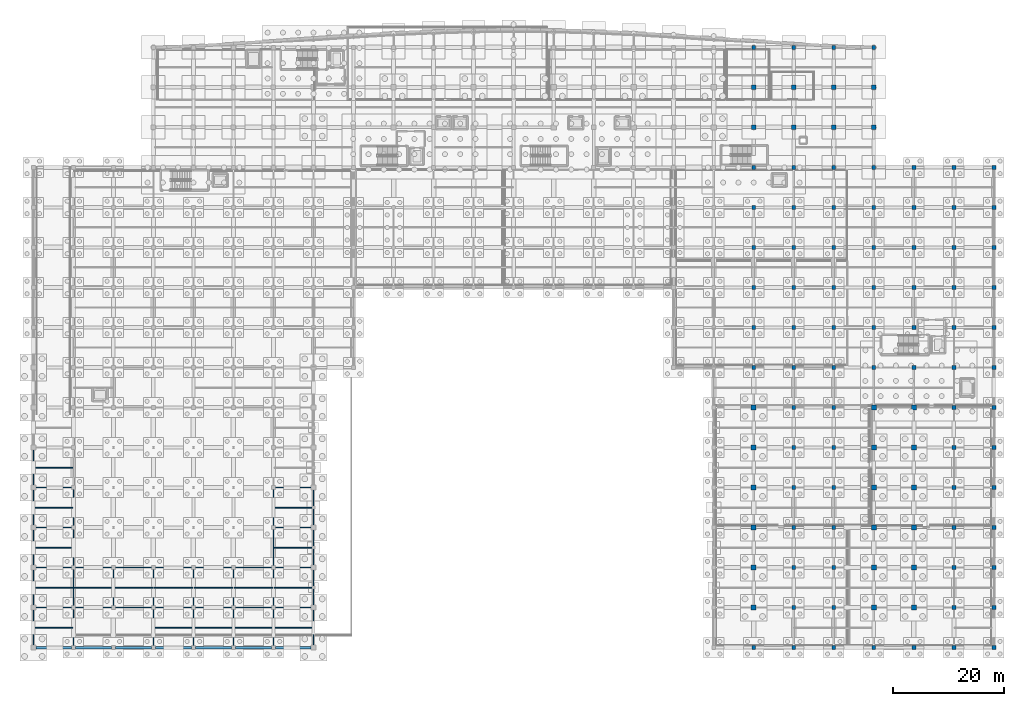
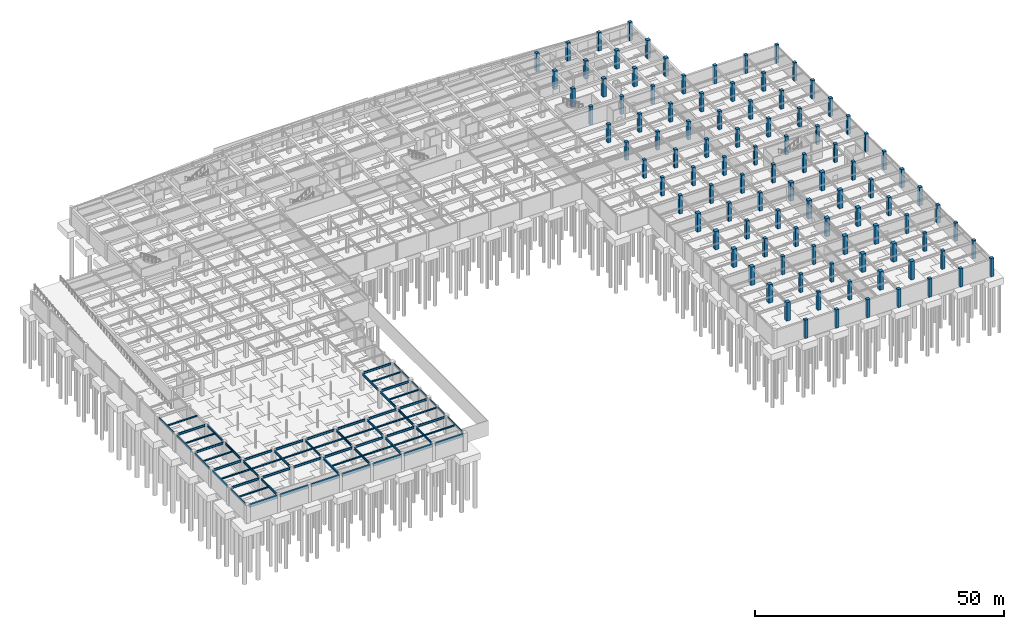
# One storey, part 24 of 48: 103 columns, 66 beams.
"""IFC4 building model written with IfcOpenShell, lengths in metres."""

from ifc_helpers import new_model, si_unit, direction, frame, origin, origin_2d, place, context, subcontext, project, spatial, rectangle, i_section, extrude, material, material_profile, profile_set, type_object, element, save


model = new_model("IFC4")

# Units and contexts
model_context = context("Model", 3, precision=1e-05, world=origin(), true_north=direction((0.0, 1.0)))
body_context = subcontext(model_context, "Body", "Model", "MODEL_VIEW")
ifc_project = project(units=[si_unit("LENGTHUNIT", "METRE"), si_unit("AREAUNIT", "SQUARE_METRE"), si_unit("VOLUMEUNIT", "CUBIC_METRE"), si_unit("PLANEANGLEUNIT", "RADIAN"), si_unit("MASSUNIT", "GRAM", prefix="KILO")], contexts=[model_context])

# Site, building, storey
site_placement = place(None, origin())
site = spatial("IfcSite", under=ifc_project, at=site_placement, CompositionType="ELEMENT")
building_placement = place(site_placement, origin())
building = spatial("IfcBuilding", under=site, at=building_placement, Name="Carrowvane Square Congress Hotel", CompositionType="ELEMENT")
storey_placement = place(building_placement, frame((0.0, 0.0, -4.5)))
storey = spatial("IfcBuildingStorey", under=building, at=storey_placement, Name="B01", CompositionType="ELEMENT", Elevation=-4.5)

# Columns
ifc_material_1 = material(Name="Concrete C40/50", Category="concrete")
ifc_material_profile_1 = material_profile(ifc_material_1, rectangle(XDim=0.699951171875, YDim=0.699951171875, at=origin_2d()), Name="RC 700x700")
ifc_profile_set_1 = profile_set([ifc_material_profile_1], Name="Concrete C40/50")
column_type_1 = type_object("IfcColumnType", Name="COL-RC-700", PredefinedType="COLUMN", material=ifc_profile_set_1)
for number, where, z_axis, x_axis, name in (
    (1, (141.199951171875, 5.39990234375, 0.0), (0.0, 0.0, 1.0), (1.0, 0.0, 0.0), "B01 column 19/A"),
    (2, (141.199951171875, 55.800048828125, 0.0), (0.0, 0.0, 1.0), (1.0, 0.0, 0.0), "B01 column 19/H"),
    (3, (141.199951171875, 63.0, 0.0), (0.0, 0.0, 1.0), (1.0, 0.0, 0.0), "B01 column 19/J"),
    (4, (141.199951171875, 70.199951171875, 0.0), (0.0, 0.0, 1.0), (1.0, 0.0, 0.0), "B01 column 19/K"),
    (5, (141.199951171875, 77.39990234375, 0.0), (0.0, 0.0, 1.0), (1.0, 0.0, 0.0), "B01 column 19/L"),
    (6, (141.199951171875, 84.60009765625, 0.0), (0.0, 0.0, 1.0), (1.0, 0.0, 0.0), "B01 column 19/M"),
    (7, (141.199951171875, 91.800048828125, 0.0), (0.0, 0.0, 1.0), (1.0, 0.0, 0.0), "B01 column 19/N"),
    (8, (141.199951171875, 113.39990234375, 0.0), (0.0, 0.0, 1.0), (1.0, 0.0, 0.0), "B01 column 19/R"),
    (9, (148.39990234375, 5.39990234375, 0.0), (0.0, 0.0, 1.0), (1.0, 0.0, 0.0), "B01 column 20/A"),
    (10, (148.39990234375, 12.60009765625, 0.0), (0.0, 0.0, 1.0), (1.0, 0.0, 0.0), "B01 column 20/B"),
    (11, (148.39990234375, 19.800048828125, 0.0), (0.0, 0.0, 1.0), (1.0, 0.0, 0.0), "B01 column 20/C"),
    (12, (148.39990234375, 27.0, 0.0), (0.0, 0.0, 1.0), (1.0, 0.0, 0.0), "B01 column 20/D"),
    (13, (148.39990234375, 34.199951171875, 0.0), (0.0, 0.0, 1.0), (1.0, 0.0, 0.0), "B01 column 20/E"),
    (14, (148.39990234375, 41.39990234375, 0.0), (0.0, 0.0, 1.0), (1.0, 0.0, 0.0), "B01 column 20/F"),
    (15, (148.39990234375, 48.60009765625, 0.0), (0.0, 0.0, 1.0), (1.0, 0.0, 0.0), "B01 column 20/G"),
    (16, (148.39990234375, 55.800048828125, 0.0), (0.0, 0.0, 1.0), (1.0, 0.0, 0.0), "B01 column 20/H"),
    (17, (148.39990234375, 63.0, 0.0), (0.0, 0.0, 1.0), (1.0, 0.0, 0.0), "B01 column 20/J"),
    (18, (148.39990234375, 70.199951171875, 0.0), (0.0, 0.0, 1.0), (1.0, 0.0, 0.0), "B01 column 20/K"),
    (19, (148.39990234375, 77.39990234375, 0.0), (0.0, 0.0, 1.0), (1.0, 0.0, 0.0), "B01 column 20/L"),
    (20, (148.39990234375, 84.60009765625, 0.0), (0.0, 0.0, 1.0), (1.0, 0.0, 0.0), "B01 column 20/M"),
    (21, (148.39990234375, 91.800048828125, 0.0), (0.0, 0.0, 1.0), (1.0, 0.0, 0.0), "B01 column 20/N"),
    (22, (148.39990234375, 113.39990234375, 0.0), (0.0, 0.0, 1.0), (1.0, 0.0, 0.0), "B01 column 20/R"),
    (23, (155.60009765625, 5.39990234375, 0.0), (0.0, 0.0, 1.0), (1.0, 0.0, 0.0), "B01 column 21/A"),
    (24, (155.60009765625, 12.60009765625, 0.0), (0.0, 0.0, 1.0), (1.0, 0.0, 0.0), "B01 column 21/B"),
    (25, (155.60009765625, 19.800048828125, 0.0), (0.0, 0.0, 1.0), (1.0, 0.0, 0.0), "B01 column 21/C"),
    (26, (155.60009765625, 27.0, 0.0), (0.0, 0.0, 1.0), (1.0, 0.0, 0.0), "B01 column 21/D"),
    (27, (155.60009765625, 34.199951171875, 0.0), (0.0, 0.0, 1.0), (1.0, 0.0, 0.0), "B01 column 21/E"),
    (28, (155.60009765625, 41.39990234375, 0.0), (0.0, 0.0, 1.0), (1.0, 0.0, 0.0), "B01 column 21/F"),
    (29, (155.60009765625, 48.60009765625, 0.0), (0.0, 0.0, 1.0), (1.0, 0.0, 0.0), "B01 column 21/G"),
    (30, (155.60009765625, 55.800048828125, 0.0), (0.0, 0.0, 1.0), (1.0, 0.0, 0.0), "B01 column 21/H"),
    (31, (155.60009765625, 63.0, 0.0), (0.0, 0.0, 1.0), (1.0, 0.0, 0.0), "B01 column 21/J"),
    (32, (155.60009765625, 70.199951171875, 0.0), (0.0, 0.0, 1.0), (1.0, 0.0, 0.0), "B01 column 21/K"),
    (33, (155.60009765625, 77.39990234375, 0.0), (0.0, 0.0, 1.0), (1.0, 0.0, 0.0), "B01 column 21/L"),
    (34, (155.60009765625, 84.60009765625, 0.0), (0.0, 0.0, 1.0), (1.0, 0.0, 0.0), "B01 column 21/M"),
    (35, (155.60009765625, 91.800048828125, 0.0), (0.0, 0.0, 1.0), (1.0, 0.0, 0.0), "B01 column 21/N"),
    (36, (155.60009765625, 113.39990234375, 0.0), (0.0, 0.0, 1.0), (1.0, 0.0, 0.0), "B01 column 21/R"),
    (37, (162.800048828125, 5.39990234375, 0.0), (0.0, 0.0, 1.0), (1.0, 0.0, 0.0), "B01 column 22/A"),
    (38, (162.800048828125, 55.800048828125, 0.0), (0.0, 0.0, 1.0), (1.0, 0.0, 0.0), "B01 column 22/H"),
    (39, (162.800048828125, 63.0, 0.0), (0.0, 0.0, 1.0), (1.0, 0.0, 0.0), "B01 column 22/J"),
    (40, (162.800048828125, 70.199951171875, 0.0), (0.0, 0.0, 1.0), (1.0, 0.0, 0.0), "B01 column 22/K"),
    (41, (162.800048828125, 77.39990234375, 0.0), (0.0, 0.0, 1.0), (1.0, 0.0, 0.0), "B01 column 22/L"),
    (42, (162.800048828125, 84.60009765625, 0.0), (0.0, 0.0, 1.0), (1.0, 0.0, 0.0), "B01 column 22/M"),
    (43, (162.800048828125, 91.800048828125, 0.0), (0.0, 0.0, 1.0), (1.0, 0.0, 0.0), "B01 column 22/N"),
    (44, (162.800048828125, 113.39990234375, 0.0), (0.0, 0.0, 1.0), (1.0, 0.0, 0.0), "B01 column 22/R"),
    (45, (170.0, 5.39990234375, 0.0), (0.0, 0.0, 1.0), (1.0, 0.0, 0.0), "B01 column 23/A"),
    (46, (170.0, 55.800048828125, 0.0), (0.0, 0.0, 1.0), (1.0, 0.0, 0.0), "B01 column 23/H"),
    (47, (170.0, 63.0, 0.0), (0.0, 0.0, 1.0), (1.0, 0.0, 0.0), "B01 column 23/J"),
    (48, (170.0, 70.199951171875, 0.0), (0.0, 0.0, 1.0), (1.0, 0.0, 0.0), "B01 column 23/K"),
    (49, (170.0, 77.39990234375, 0.0), (0.0, 0.0, 1.0), (1.0, 0.0, 0.0), "B01 column 23/L"),
    (50, (170.0, 84.60009765625, 0.0), (0.0, 0.0, 1.0), (1.0, 0.0, 0.0), "B01 column 23/M"),
    (51, (170.0, 91.800048828125, 0.0), (0.0, 0.0, 1.0), (1.0, 0.0, 0.0), "B01 column 23/N"),
    (52, (177.199951171875, 5.39990234375, 0.0), (0.0, 0.0, 1.0), (1.0, 0.0, 0.0), "B01 column 24/A"),
    (53, (177.199951171875, 12.60009765625, 0.0), (0.0, 0.0, 1.0), (1.0, 0.0, 0.0), "B01 column 24/B"),
    (54, (177.199951171875, 19.800048828125, 0.0), (0.0, 0.0, 1.0), (1.0, 0.0, 0.0), "B01 column 24/C"),
    (55, (177.199951171875, 27.0, 0.0), (0.0, 0.0, 1.0), (1.0, 0.0, 0.0), "B01 column 24/D"),
    (56, (177.199951171875, 34.199951171875, 0.0), (0.0, 0.0, 1.0), (1.0, 0.0, 0.0), "B01 column 24/E"),
    (57, (177.199951171875, 41.39990234375, 0.0), (0.0, 0.0, 1.0), (1.0, 0.0, 0.0), "B01 column 24/F"),
    (58, (177.199951171875, 48.60009765625, 0.0), (0.0, 0.0, 1.0), (1.0, 0.0, 0.0), "B01 column 24/G"),
    (59, (177.199951171875, 55.800048828125, 0.0), (0.0, 0.0, 1.0), (1.0, 0.0, 0.0), "B01 column 24/H"),
    (60, (177.199951171875, 63.0, 0.0), (0.0, 0.0, 1.0), (1.0, 0.0, 0.0), "B01 column 24/J"),
    (61, (177.199951171875, 70.199951171875, 0.0), (0.0, 0.0, 1.0), (1.0, 0.0, 0.0), "B01 column 24/K"),
    (62, (177.199951171875, 77.39990234375, 0.0), (0.0, 0.0, 1.0), (1.0, 0.0, 0.0), "B01 column 24/L"),
    (63, (177.199951171875, 84.60009765625, 0.0), (0.0, 0.0, 1.0), (1.0, 0.0, 0.0), "B01 column 24/M"),
    (64, (177.199951171875, 91.800048828125, 0.0), (0.0, 0.0, 1.0), (1.0, 0.0, 0.0), "B01 column 24/N"),
    (65, (184.39990234375, 5.39990234375, 0.0), (0.0, 0.0, 1.0), (1.0, 0.0, 0.0), "B01 column 25/A"),
    (66, (184.39990234375, 12.60009765625, 0.0), (0.0, 0.0, 1.0), (1.0, 0.0, 0.0), "B01 column 25/B"),
    (67, (184.39990234375, 19.800048828125, 0.0), (0.0, 0.0, 1.0), (1.0, 0.0, 0.0), "B01 column 25/C"),
    (68, (184.39990234375, 27.0, 0.0), (0.0, 0.0, 1.0), (1.0, 0.0, 0.0), "B01 column 25/D"),
    (69, (184.39990234375, 34.199951171875, 0.0), (0.0, 0.0, 1.0), (1.0, 0.0, 0.0), "B01 column 25/E"),
    (70, (184.39990234375, 41.39990234375, 0.0), (0.0, 0.0, 1.0), (1.0, 0.0, 0.0), "B01 column 25/F"),
    (71, (184.39990234375, 48.60009765625, 0.0), (0.0, 0.0, 1.0), (1.0, 0.0, 0.0), "B01 column 25/G"),
    (72, (184.39990234375, 55.800048828125, 0.0), (0.0, 0.0, 1.0), (1.0, 0.0, 0.0), "B01 column 25/H"),
    (73, (184.39990234375, 63.0, 0.0), (0.0, 0.0, 1.0), (1.0, 0.0, 0.0), "B01 column 25/J"),
    (74, (184.39990234375, 70.199951171875, 0.0), (0.0, 0.0, 1.0), (1.0, 0.0, 0.0), "B01 column 25/K"),
    (75, (184.39990234375, 77.39990234375, 0.0), (0.0, 0.0, 1.0), (1.0, 0.0, 0.0), "B01 column 25/L"),
    (76, (184.39990234375, 84.60009765625, 0.0), (0.0, 0.0, 1.0), (1.0, 0.0, 0.0), "B01 column 25/M"),
    (77, (184.39990234375, 91.800048828125, 0.0), (0.0, 0.0, 1.0), (1.0, 0.0, 0.0), "B01 column 25/N"),
):
    element("IfcColumn", number, at=place(storey_placement, frame(where, z_axis=z_axis, x_axis=x_axis)), inside=storey, type_object=column_type_1, Name=name, PredefinedType="COLUMN", context=body_context, shape_type="SweptSolid", body=[
        extrude(rectangle(XDim=0.699951171875, YDim=0.699951171875, at=origin_2d()), origin(), (0.0, 0.0, 1.0), 4.5),
    ])
ifc_material_2 = material(Name="Concrete C40/50", Category="concrete")
ifc_material_profile_2 = material_profile(ifc_material_2, rectangle(XDim=0.800048828125, YDim=0.800048828125, at=origin_2d()), Name="RC 800x800")
ifc_profile_set_2 = profile_set([ifc_material_profile_2], Name="Concrete C40/50")
column_type_2 = type_object("IfcColumnType", Name="COL-RC-800", PredefinedType="COLUMN", material=ifc_profile_set_2)
for number, where, z_axis, x_axis, name in (
    (78, (141.199951171875, 99.0, 0.0), (0.0, 0.0, 1.0), (1.0, 0.0, 0.0), "B01 column 19/P"),
    (79, (141.199951171875, 106.199951171875, 0.0), (0.0, 0.0, 1.0), (1.0, 0.0, 0.0), "B01 column 19/Q"),
    (80, (148.39990234375, 99.0, 0.0), (0.0, 0.0, 1.0), (1.0, 0.0, 0.0), "B01 column 20/P"),
    (81, (148.39990234375, 106.199951171875, 0.0), (0.0, 0.0, 1.0), (1.0, 0.0, 0.0), "B01 column 20/Q"),
    (82, (155.60009765625, 99.0, 0.0), (0.0, 0.0, 1.0), (1.0, 0.0, 0.0), "B01 column 21/P"),
    (83, (155.60009765625, 106.199951171875, 0.0), (0.0, 0.0, 1.0), (1.0, 0.0, 0.0), "B01 column 21/Q"),
    (84, (162.800048828125, 99.0, 0.0), (0.0, 0.0, 1.0), (1.0, 0.0, 0.0), "B01 column 22/P"),
    (85, (162.800048828125, 106.199951171875, 0.0), (0.0, 0.0, 1.0), (1.0, 0.0, 0.0), "B01 column 22/Q"),
):
    element("IfcColumn", number, at=place(storey_placement, frame(where, z_axis=z_axis, x_axis=x_axis)), inside=storey, type_object=column_type_2, Name=name, PredefinedType="COLUMN", context=body_context, shape_type="SweptSolid", body=[
        extrude(rectangle(XDim=0.800048828125, YDim=0.800048828125, at=origin_2d()), origin(), (0.0, 0.0, 1.0), 4.5),
    ])
ifc_material_3 = material(Name="Concrete C40/50", Category="concrete")
ifc_material_profile_3 = material_profile(ifc_material_3, rectangle(XDim=0.89990234375, YDim=0.89990234375, at=origin_2d()), Name="RC 900x900")
ifc_profile_set_3 = profile_set([ifc_material_profile_3], Name="Concrete C40/50")
column_type_3 = type_object("IfcColumnType", Name="MCOL-RC-900", PredefinedType="COLUMN", material=ifc_profile_set_3)
for number, where, z_axis, x_axis, name in (
    (86, (141.199951171875, 12.60009765625, 0.0), (0.0, 0.0, 1.0), (1.0, 0.0, 0.0), "B01 column 19/B"),
    (87, (141.199951171875, 19.800048828125, 0.0), (0.0, 0.0, 1.0), (1.0, 0.0, 0.0), "B01 column 19/C"),
    (88, (141.199951171875, 27.0, 0.0), (0.0, 0.0, 1.0), (1.0, 0.0, 0.0), "B01 column 19/D"),
    (89, (141.199951171875, 34.199951171875, 0.0), (0.0, 0.0, 1.0), (1.0, 0.0, 0.0), "B01 column 19/E"),
    (90, (141.199951171875, 41.39990234375, 0.0), (0.0, 0.0, 1.0), (1.0, 0.0, 0.0), "B01 column 19/F"),
    (91, (141.199951171875, 48.60009765625, 0.0), (0.0, 0.0, 1.0), (1.0, 0.0, 0.0), "B01 column 19/G"),
    (92, (162.800048828125, 12.60009765625, 0.0), (0.0, 0.0, 1.0), (1.0, 0.0, 0.0), "B01 column 22/B"),
    (93, (162.800048828125, 19.800048828125, 0.0), (0.0, 0.0, 1.0), (1.0, 0.0, 0.0), "B01 column 22/C"),
    (94, (162.800048828125, 27.0, 0.0), (0.0, 0.0, 1.0), (1.0, 0.0, 0.0), "B01 column 22/D"),
    (95, (162.800048828125, 34.199951171875, 0.0), (0.0, 0.0, 1.0), (1.0, 0.0, 0.0), "B01 column 22/E"),
    (96, (162.800048828125, 41.39990234375, 0.0), (0.0, 0.0, 1.0), (1.0, 0.0, 0.0), "B01 column 22/F"),
    (97, (162.800048828125, 48.60009765625, 0.0), (0.0, 0.0, 1.0), (1.0, 0.0, 0.0), "B01 column 22/G"),
    (98, (170.0, 12.60009765625, 0.0), (0.0, 0.0, 1.0), (1.0, 0.0, 0.0), "B01 column 23/B"),
    (99, (170.0, 19.800048828125, 0.0), (0.0, 0.0, 1.0), (1.0, 0.0, 0.0), "B01 column 23/C"),
    (100, (170.0, 27.0, 0.0), (0.0, 0.0, 1.0), (1.0, 0.0, 0.0), "B01 column 23/D"),
    (101, (170.0, 34.199951171875, 0.0), (0.0, 0.0, 1.0), (1.0, 0.0, 0.0), "B01 column 23/E"),
    (102, (170.0, 41.39990234375, 0.0), (0.0, 0.0, 1.0), (1.0, 0.0, 0.0), "B01 column 23/F"),
    (103, (170.0, 48.60009765625, 0.0), (0.0, 0.0, 1.0), (1.0, 0.0, 0.0), "B01 column 23/G"),
):
    element("IfcColumn", number, at=place(storey_placement, frame(where, z_axis=z_axis, x_axis=x_axis)), inside=storey, type_object=column_type_3, Name=name, PredefinedType="COLUMN", context=body_context, shape_type="SweptSolid", body=[
        extrude(rectangle(XDim=0.89990234375, YDim=0.89990234375, at=origin_2d()), origin(), (0.0, 0.0, 1.0), 4.5),
    ])

# Beams
ifc_material_4 = material(Name="Steel S355", Category="steel")
ifc_material_profile_4 = material_profile(ifc_material_4, i_section(OverallWidth=0.172119140625, OverallDepth=0.35791015625, WebThickness=0.008056640625, FlangeThickness=0.012939453125, FilletRadius=0.01025390625, at=origin_2d()), Name="UKB 356x171x57")
ifc_profile_set_4 = profile_set([ifc_material_profile_4], Name="Steel S355")
beam_type_1 = type_object("IfcBeamType", Name="BM-ST-UKB356", PredefinedType="JOIST", material=ifc_profile_set_4)
for number, where, z_axis, x_axis, name in (
    (104, (11.695556640625, 9.0, 4.02099609375), (1.0, 0.0, 0.0), (0.0, 1.0, 0.0), "L00 secondary joist 1-2"),
    (105, (11.695556640625, 16.199951171875, 4.02099609375), (1.0, 0.0, 0.0), (0.0, 1.0, 0.0), "L00 secondary joist 1-2"),
    (106, (11.695556640625, 23.39990234375, 4.02099609375), (1.0, 0.0, 0.0), (0.0, 1.0, 0.0), "L00 secondary joist 1-2"),
    (107, (11.695556640625, 30.60009765625, 4.02099609375), (1.0, 0.0, 0.0), (0.0, 1.0, 0.0), "L00 secondary joist 1-2"),
    (108, (11.695556640625, 37.800048828125, 4.02099609375), (1.0, 0.0, 0.0), (0.0, 1.0, 0.0), "L00 secondary joist 1-2"),
):
    element("IfcBeam", number, at=place(storey_placement, frame(where, z_axis=z_axis, x_axis=x_axis)), inside=storey, type_object=beam_type_1, Name=name, PredefinedType="JOIST", context=body_context, shape_type="SweptSolid", body=[
        extrude(i_section(OverallWidth=0.172119140625, OverallDepth=0.35791015625, WebThickness=0.008056640625, FlangeThickness=0.012939453125, FilletRadius=0.01025390625, at=origin_2d()), origin(), (0.0, 0.0, 1.0), 6.99951171875),
    ])
for number, where, z_axis, x_axis, name in (
    (109, (18.905029296875, 16.199951171875, 4.02099609375), (1.0, 0.0, 0.0), (0.0, 1.0, 0.0), "L00 secondary joist 2-3"),
    (110, (26.10498046875, 16.199951171875, 4.02099609375), (1.0, 0.0, 0.0), (0.0, 1.0, 0.0), "L00 secondary joist 3-4"),
    (111, (33.304931640625, 9.0, 4.02099609375), (1.0, 0.0, 0.0), (0.0, 1.0, 0.0), "L00 secondary joist 4-5"),
    (112, (33.304931640625, 16.199951171875, 4.02099609375), (1.0, 0.0, 0.0), (0.0, 1.0, 0.0), "L00 secondary joist 4-5"),
):
    element("IfcBeam", number, at=place(storey_placement, frame(where, z_axis=z_axis, x_axis=x_axis)), inside=storey, type_object=beam_type_1, Name=name, PredefinedType="JOIST", context=body_context, shape_type="SweptSolid", body=[
        extrude(i_section(OverallWidth=0.172119140625, OverallDepth=0.35791015625, WebThickness=0.008056640625, FlangeThickness=0.012939453125, FilletRadius=0.01025390625, at=origin_2d()), origin(), (0.0, 0.0, 1.0), 6.989990234375),
    ])
for number, where, z_axis, x_axis, name in (
    (113, (40.5048828125, 9.0, 4.02099609375), (1.0, 0.0, 0.0), (0.0, 1.0, 0.0), "L00 secondary joist 5-6"),
    (114, (40.5048828125, 16.199951171875, 4.02099609375), (1.0, 0.0, 0.0), (0.0, 1.0, 0.0), "L00 secondary joist 5-6"),
):
    element("IfcBeam", number, at=place(storey_placement, frame(where, z_axis=z_axis, x_axis=x_axis)), inside=storey, type_object=beam_type_1, Name=name, PredefinedType="JOIST", context=body_context, shape_type="SweptSolid", body=[
        extrude(i_section(OverallWidth=0.172119140625, OverallDepth=0.35791015625, WebThickness=0.008056640625, FlangeThickness=0.012939453125, FilletRadius=0.01025390625, at=origin_2d()), origin(), (0.0, 0.0, 1.0), 6.990234375),
    ])
for number, where, z_axis, x_axis, name in (
    (115, (47.705078125, 9.0, 4.02099609375), (1.0, 0.0, 0.0), (0.0, 1.0, 0.0), "L00 secondary joist 6-7"),
    (116, (47.705078125, 16.199951171875, 4.02099609375), (1.0, 0.0, 0.0), (0.0, 1.0, 0.0), "L00 secondary joist 6-7"),
):
    element("IfcBeam", number, at=place(storey_placement, frame(where, z_axis=z_axis, x_axis=x_axis)), inside=storey, type_object=beam_type_1, Name=name, PredefinedType="JOIST", context=body_context, shape_type="SweptSolid", body=[
        extrude(i_section(OverallWidth=0.172119140625, OverallDepth=0.35791015625, WebThickness=0.008056640625, FlangeThickness=0.012939453125, FilletRadius=0.01025390625, at=origin_2d()), origin(), (0.0, 0.0, 1.0), 6.989990234375),
    ])
for number, where, z_axis, x_axis, name in (
    (117, (54.905029296875, 9.0, 4.02099609375), (1.0, 0.0, 0.0), (0.0, 1.0, 0.0), "L00 secondary joist 7-8"),
    (118, (54.905029296875, 16.199951171875, 4.02099609375), (1.0, 0.0, 0.0), (0.0, 1.0, 0.0), "L00 secondary joist 7-8"),
    (119, (54.905029296875, 23.39990234375, 4.02099609375), (1.0, 0.0, 0.0), (0.0, 1.0, 0.0), "L00 secondary joist 7-8"),
    (120, (54.905029296875, 30.60009765625, 4.02099609375), (1.0, 0.0, 0.0), (0.0, 1.0, 0.0), "L00 secondary joist 7-8"),
):
    element("IfcBeam", number, at=place(storey_placement, frame(where, z_axis=z_axis, x_axis=x_axis)), inside=storey, type_object=beam_type_1, Name=name, PredefinedType="JOIST", context=body_context, shape_type="SweptSolid", body=[
        extrude(i_section(OverallWidth=0.172119140625, OverallDepth=0.35791015625, WebThickness=0.008056640625, FlangeThickness=0.012939453125, FilletRadius=0.01025390625, at=origin_2d()), origin(), (0.0, 0.0, 1.0), 6.999267578125),
    ])
ifc_material_5 = material(Name="Steel S355", Category="steel")
ifc_material_profile_5 = material_profile(ifc_material_5, i_section(OverallWidth=0.19140625, OverallDepth=0.4599609375, WebThickness=0.010009765625, FlangeThickness=0.01611328125, FilletRadius=0.01025390625, at=origin_2d()), Name="UKB 457x191x82")
ifc_profile_set_5 = profile_set([ifc_material_profile_5], Name="Steel S355")
beam_type_2 = type_object("IfcBeamType", Name="BM-ST-UKB457", PredefinedType="SPANDREL", material=ifc_profile_set_5)
beam_1_placement = place(storey_placement, frame((11.60009765625, 5.85009765625, 3.969970703125), z_axis=(0.0, 1.0, 0.0), x_axis=(-1.0, 0.0, 0.0)))
element("IfcBeam", 121, at=beam_1_placement, inside=storey, type_object=beam_type_2, Name="L00 girder 1/A-B", PredefinedType="SPANDREL", context=body_context, shape_type="SweptSolid", body=[
    extrude(i_section(OverallWidth=0.19140625, OverallDepth=0.4599609375, WebThickness=0.010009765625, FlangeThickness=0.01611328125, FilletRadius=0.01025390625, at=origin_2d()), origin(), (0.0, 0.0, 1.0), 6.2998046875),
])
for number, where, z_axis, x_axis, name in (
    (122, (11.60009765625, 13.050048828125, 3.969970703125), (0.0, 1.0, 0.0), (-1.0, 0.0, 0.0), "L00 girder 1/B-C"),
    (123, (11.60009765625, 20.25, 3.969970703125), (0.0, 1.0, 0.0), (-1.0, 0.0, 0.0), "L00 girder 1/C-D"),
    (124, (11.60009765625, 27.449951171875, 3.969970703125), (0.0, 1.0, 0.0), (-1.0, 0.0, 0.0), "L00 girder 1/D-E"),
    (125, (11.60009765625, 34.64990234375, 3.969970703125), (0.0, 1.0, 0.0), (-1.0, 0.0, 0.0), "L00 girder 1/E-F"),
):
    element("IfcBeam", number, at=place(storey_placement, frame(where, z_axis=z_axis, x_axis=x_axis)), inside=storey, type_object=beam_type_2, Name=name, PredefinedType="SPANDREL", context=body_context, shape_type="SweptSolid", body=[
        extrude(i_section(OverallWidth=0.19140625, OverallDepth=0.4599609375, WebThickness=0.010009765625, FlangeThickness=0.01611328125, FilletRadius=0.01025390625, at=origin_2d()), origin(), (0.0, 0.0, 1.0), 6.300048828125),
    ])
beam_2_placement = place(storey_placement, frame((62.0, 5.85009765625, 3.969970703125), z_axis=(0.0, 1.0, 0.0), x_axis=(-1.0, 0.0, 0.0)))
element("IfcBeam", 126, at=beam_2_placement, inside=storey, type_object=beam_type_2, Name="L00 girder 8/A-B", PredefinedType="SPANDREL", context=body_context, shape_type="SweptSolid", body=[
    extrude(i_section(OverallWidth=0.19140625, OverallDepth=0.4599609375, WebThickness=0.010009765625, FlangeThickness=0.01611328125, FilletRadius=0.01025390625, at=origin_2d()), origin(), (0.0, 0.0, 1.0), 6.2998046875),
])
for number, where, z_axis, x_axis, name in (
    (127, (62.0, 13.050048828125, 3.969970703125), (0.0, 1.0, 0.0), (-1.0, 0.0, 0.0), "L00 girder 8/B-C"),
    (128, (62.0, 20.25, 3.969970703125), (0.0, 1.0, 0.0), (-1.0, 0.0, 0.0), "L00 girder 8/C-D"),
    (129, (62.0, 27.449951171875, 3.969970703125), (0.0, 1.0, 0.0), (-1.0, 0.0, 0.0), "L00 girder 8/D-E"),
):
    element("IfcBeam", number, at=place(storey_placement, frame(where, z_axis=z_axis, x_axis=x_axis)), inside=storey, type_object=beam_type_2, Name=name, PredefinedType="SPANDREL", context=body_context, shape_type="SweptSolid", body=[
        extrude(i_section(OverallWidth=0.19140625, OverallDepth=0.4599609375, WebThickness=0.010009765625, FlangeThickness=0.01611328125, FilletRadius=0.01025390625, at=origin_2d()), origin(), (0.0, 0.0, 1.0), 6.300048828125),
    ])
ifc_material_6 = material(Name="Steel S355", Category="steel")
ifc_material_profile_6 = material_profile(ifc_material_6, i_section(OverallWidth=0.2099609375, OverallDepth=0.53662109375, WebThickness=0.0107421875, FlangeThickness=0.017333984375, FilletRadius=0.0126953125, at=origin_2d()), Name="UKB 533x210x101")
ifc_profile_set_6 = profile_set([ifc_material_profile_6], Name="Steel S355")
beam_type_3 = type_object("IfcBeamType", Name="BM-ST-UKB533", PredefinedType="USERDEFINED", material=ifc_profile_set_6)
beam_3_placement = place(storey_placement, frame((12.050048828125, 12.60009765625, 3.931640625), z_axis=(1.0, 0.0, 0.0), x_axis=(0.0, 1.0, 0.0)))
element("IfcBeam", 130, at=beam_3_placement, inside=storey, type_object=beam_type_3, Name="L00 girder B/1-2", ObjectType="GIRDER", PredefinedType="USERDEFINED", context=body_context, shape_type="SweptSolid", body=[
    extrude(i_section(OverallWidth=0.2099609375, OverallDepth=0.53662109375, WebThickness=0.0107421875, FlangeThickness=0.017333984375, FilletRadius=0.0126953125, at=origin_2d()), origin(), (0.0, 0.0, 1.0), 6.39990234375),
])
for number, where, z_axis, x_axis, name in (
    (131, (19.14990234375, 12.60009765625, 3.931640625), (1.0, 0.0, 0.0), (0.0, 1.0, 0.0), "L00 girder B/2-3"),
    (132, (26.35009765625, 12.60009765625, 3.931640625), (1.0, 0.0, 0.0), (0.0, 1.0, 0.0), "L00 girder B/3-4"),
    (133, (33.550048828125, 12.60009765625, 3.931640625), (1.0, 0.0, 0.0), (0.0, 1.0, 0.0), "L00 girder B/4-5"),
    (134, (40.75, 12.60009765625, 3.931640625), (1.0, 0.0, 0.0), (0.0, 1.0, 0.0), "L00 girder B/5-6"),
    (135, (47.949951171875, 12.60009765625, 3.931640625), (1.0, 0.0, 0.0), (0.0, 1.0, 0.0), "L00 girder B/6-7"),
):
    element("IfcBeam", number, at=place(storey_placement, frame(where, z_axis=z_axis, x_axis=x_axis)), inside=storey, type_object=beam_type_3, Name=name, ObjectType="GIRDER", PredefinedType="USERDEFINED", context=body_context, shape_type="SweptSolid", body=[
        extrude(i_section(OverallWidth=0.2099609375, OverallDepth=0.53662109375, WebThickness=0.0107421875, FlangeThickness=0.017333984375, FilletRadius=0.0126953125, at=origin_2d()), origin(), (0.0, 0.0, 1.0), 6.5),
    ])
beam_4_placement = place(storey_placement, frame((55.14990234375, 12.60009765625, 3.931640625), z_axis=(1.0, 0.0, 0.0), x_axis=(0.0, 1.0, 0.0)))
element("IfcBeam", 136, at=beam_4_placement, inside=storey, type_object=beam_type_3, Name="L00 girder B/7-8", ObjectType="GIRDER", PredefinedType="USERDEFINED", context=body_context, shape_type="SweptSolid", body=[
    extrude(i_section(OverallWidth=0.2099609375, OverallDepth=0.53662109375, WebThickness=0.0107421875, FlangeThickness=0.017333984375, FilletRadius=0.0126953125, at=origin_2d()), origin(), (0.0, 0.0, 1.0), 6.400146484375),
])
beam_5_placement = place(storey_placement, frame((12.050048828125, 19.800048828125, 3.931640625), z_axis=(1.0, 0.0, 0.0), x_axis=(0.0, 1.0, 0.0)))
element("IfcBeam", 137, at=beam_5_placement, inside=storey, type_object=beam_type_3, Name="L00 girder C/1-2", ObjectType="GIRDER", PredefinedType="USERDEFINED", context=body_context, shape_type="SweptSolid", body=[
    extrude(i_section(OverallWidth=0.2099609375, OverallDepth=0.53662109375, WebThickness=0.0107421875, FlangeThickness=0.017333984375, FilletRadius=0.0126953125, at=origin_2d()), origin(), (0.0, 0.0, 1.0), 6.39990234375),
])
for number, where, z_axis, x_axis, name in (
    (138, (19.14990234375, 19.800048828125, 3.931640625), (1.0, 0.0, 0.0), (0.0, 1.0, 0.0), "L00 girder C/2-3"),
    (139, (26.35009765625, 19.800048828125, 3.931640625), (1.0, 0.0, 0.0), (0.0, 1.0, 0.0), "L00 girder C/3-4"),
    (140, (33.550048828125, 19.800048828125, 3.931640625), (1.0, 0.0, 0.0), (0.0, 1.0, 0.0), "L00 girder C/4-5"),
    (141, (40.75, 19.800048828125, 3.931640625), (1.0, 0.0, 0.0), (0.0, 1.0, 0.0), "L00 girder C/5-6"),
    (142, (47.949951171875, 19.800048828125, 3.931640625), (1.0, 0.0, 0.0), (0.0, 1.0, 0.0), "L00 girder C/6-7"),
):
    element("IfcBeam", number, at=place(storey_placement, frame(where, z_axis=z_axis, x_axis=x_axis)), inside=storey, type_object=beam_type_3, Name=name, ObjectType="GIRDER", PredefinedType="USERDEFINED", context=body_context, shape_type="SweptSolid", body=[
        extrude(i_section(OverallWidth=0.2099609375, OverallDepth=0.53662109375, WebThickness=0.0107421875, FlangeThickness=0.017333984375, FilletRadius=0.0126953125, at=origin_2d()), origin(), (0.0, 0.0, 1.0), 6.5),
    ])
beam_6_placement = place(storey_placement, frame((55.14990234375, 19.800048828125, 3.931640625), z_axis=(1.0, 0.0, 0.0), x_axis=(0.0, 1.0, 0.0)))
element("IfcBeam", 143, at=beam_6_placement, inside=storey, type_object=beam_type_3, Name="L00 girder C/7-8", ObjectType="GIRDER", PredefinedType="USERDEFINED", context=body_context, shape_type="SweptSolid", body=[
    extrude(i_section(OverallWidth=0.2099609375, OverallDepth=0.53662109375, WebThickness=0.0107421875, FlangeThickness=0.017333984375, FilletRadius=0.0126953125, at=origin_2d()), origin(), (0.0, 0.0, 1.0), 6.400146484375),
])
beam_7_placement = place(storey_placement, frame((12.050048828125, 27.0, 3.931640625), z_axis=(1.0, 0.0, 0.0), x_axis=(0.0, 1.0, 0.0)))
element("IfcBeam", 144, at=beam_7_placement, inside=storey, type_object=beam_type_3, Name="L00 girder D/1-2", ObjectType="GIRDER", PredefinedType="USERDEFINED", context=body_context, shape_type="SweptSolid", body=[
    extrude(i_section(OverallWidth=0.2099609375, OverallDepth=0.53662109375, WebThickness=0.0107421875, FlangeThickness=0.017333984375, FilletRadius=0.0126953125, at=origin_2d()), origin(), (0.0, 0.0, 1.0), 6.39990234375),
])
beam_8_placement = place(storey_placement, frame((55.14990234375, 27.0, 3.931640625), z_axis=(1.0, 0.0, 0.0), x_axis=(0.0, 1.0, 0.0)))
element("IfcBeam", 145, at=beam_8_placement, inside=storey, type_object=beam_type_3, Name="L00 girder D/7-8", ObjectType="GIRDER", PredefinedType="USERDEFINED", context=body_context, shape_type="SweptSolid", body=[
    extrude(i_section(OverallWidth=0.2099609375, OverallDepth=0.53662109375, WebThickness=0.0107421875, FlangeThickness=0.017333984375, FilletRadius=0.0126953125, at=origin_2d()), origin(), (0.0, 0.0, 1.0), 6.400146484375),
])
beam_9_placement = place(storey_placement, frame((12.050048828125, 34.199951171875, 3.931640625), z_axis=(1.0, 0.0, 0.0), x_axis=(0.0, 1.0, 0.0)))
element("IfcBeam", 146, at=beam_9_placement, inside=storey, type_object=beam_type_3, Name="L00 girder E/1-2", ObjectType="GIRDER", PredefinedType="USERDEFINED", context=body_context, shape_type="SweptSolid", body=[
    extrude(i_section(OverallWidth=0.2099609375, OverallDepth=0.53662109375, WebThickness=0.0107421875, FlangeThickness=0.017333984375, FilletRadius=0.0126953125, at=origin_2d()), origin(), (0.0, 0.0, 1.0), 6.39990234375),
])
beam_10_placement = place(storey_placement, frame((55.14990234375, 34.199951171875, 3.931640625), z_axis=(1.0, 0.0, 0.0), x_axis=(0.0, 1.0, 0.0)))
element("IfcBeam", 147, at=beam_10_placement, inside=storey, type_object=beam_type_3, Name="L00 girder E/7-8", ObjectType="GIRDER", PredefinedType="USERDEFINED", context=body_context, shape_type="SweptSolid", body=[
    extrude(i_section(OverallWidth=0.2099609375, OverallDepth=0.53662109375, WebThickness=0.0107421875, FlangeThickness=0.017333984375, FilletRadius=0.0126953125, at=origin_2d()), origin(), (0.0, 0.0, 1.0), 6.400146484375),
])
for number, where, z_axis, x_axis, name in (
    (148, (18.800048828125, 5.75, 3.931640625), (0.0, 1.0, 0.0), (-1.0, 0.0, 0.0), "L00 girder 2/A-B"),
    (149, (18.800048828125, 12.949951171875, 3.931640625), (0.0, 1.0, 0.0), (-1.0, 0.0, 0.0), "L00 girder 2/B-C"),
    (150, (18.800048828125, 20.14990234375, 3.931640625), (0.0, 1.0, 0.0), (-1.0, 0.0, 0.0), "L00 girder 2/C-D"),
    (151, (18.800048828125, 27.35009765625, 3.931640625), (0.0, 1.0, 0.0), (-1.0, 0.0, 0.0), "L00 girder 2/D-E"),
    (152, (26.0, 12.949951171875, 3.931640625), (0.0, 1.0, 0.0), (-1.0, 0.0, 0.0), "L00 girder 3/B-C"),
    (153, (33.199951171875, 5.75, 3.931640625), (0.0, 1.0, 0.0), (-1.0, 0.0, 0.0), "L00 girder 4/A-B"),
    (154, (33.199951171875, 12.949951171875, 3.931640625), (0.0, 1.0, 0.0), (-1.0, 0.0, 0.0), "L00 girder 4/B-C"),
    (155, (40.39990234375, 5.75, 3.931640625), (0.0, 1.0, 0.0), (-1.0, 0.0, 0.0), "L00 girder 5/A-B"),
    (156, (40.39990234375, 12.949951171875, 3.931640625), (0.0, 1.0, 0.0), (-1.0, 0.0, 0.0), "L00 girder 5/B-C"),
    (157, (47.60009765625, 5.75, 3.931640625), (0.0, 1.0, 0.0), (-1.0, 0.0, 0.0), "L00 girder 6/A-B"),
    (158, (47.60009765625, 12.949951171875, 3.931640625), (0.0, 1.0, 0.0), (-1.0, 0.0, 0.0), "L00 girder 6/B-C"),
    (159, (54.800048828125, 5.75, 3.931640625), (0.0, 1.0, 0.0), (-1.0, 0.0, 0.0), "L00 girder 7/A-B"),
    (160, (54.800048828125, 12.949951171875, 3.931640625), (0.0, 1.0, 0.0), (-1.0, 0.0, 0.0), "L00 girder 7/B-C"),
    (161, (54.800048828125, 20.14990234375, 3.931640625), (0.0, 1.0, 0.0), (-1.0, 0.0, 0.0), "L00 girder 7/C-D"),
    (162, (54.800048828125, 27.35009765625, 3.931640625), (0.0, 1.0, 0.0), (-1.0, 0.0, 0.0), "L00 girder 7/D-E"),
):
    element("IfcBeam", number, at=place(storey_placement, frame(where, z_axis=z_axis, x_axis=x_axis)), inside=storey, type_object=beam_type_3, Name=name, ObjectType="GIRDER", PredefinedType="USERDEFINED", context=body_context, shape_type="SweptSolid", body=[
        extrude(i_section(OverallWidth=0.2099609375, OverallDepth=0.53662109375, WebThickness=0.0107421875, FlangeThickness=0.017333984375, FilletRadius=0.0126953125, at=origin_2d()), origin(), (0.0, 0.0, 1.0), 6.5),
    ])
ifc_material_7 = material(Name="Concrete C35/45", Category="concrete")
ifc_material_profile_7 = material_profile(ifc_material_7, rectangle(XDim=0.39990234375, YDim=0.64990234375, at=origin_2d()), Name="RC 400x650")
ifc_profile_set_7 = profile_set([ifc_material_profile_7], Name="Concrete C35/45")
beam_type_4 = type_object("IfcBeamType", Name="SP-RC-400x650", PredefinedType="SPANDREL", material=ifc_profile_set_7)
beam_11_placement = place(storey_placement, frame((12.050048828125, 5.39990234375, 3.875), z_axis=(1.0, 0.0, 0.0), x_axis=(0.0, 1.0, 0.0)))
element("IfcBeam", 163, at=beam_11_placement, inside=storey, type_object=beam_type_4, Name="L00 girder A/1-2", PredefinedType="SPANDREL", context=body_context, shape_type="SweptSolid", body=[
    extrude(rectangle(XDim=0.39990234375, YDim=0.64990234375, at=origin_2d()), origin(), (0.0, 0.0, 1.0), 6.39990234375),
])
for number, where, z_axis, x_axis, name in (
    (164, (19.14990234375, 5.39990234375, 3.875), (1.0, 0.0, 0.0), (0.0, 1.0, 0.0), "L00 girder A/2-3"),
    (165, (26.35009765625, 5.39990234375, 3.875), (1.0, 0.0, 0.0), (0.0, 1.0, 0.0), "L00 girder A/3-4"),
    (166, (33.550048828125, 5.39990234375, 3.875), (1.0, 0.0, 0.0), (0.0, 1.0, 0.0), "L00 girder A/4-5"),
    (167, (40.75, 5.39990234375, 3.875), (1.0, 0.0, 0.0), (0.0, 1.0, 0.0), "L00 girder A/5-6"),
    (168, (47.949951171875, 5.39990234375, 3.875), (1.0, 0.0, 0.0), (0.0, 1.0, 0.0), "L00 girder A/6-7"),
):
    element("IfcBeam", number, at=place(storey_placement, frame(where, z_axis=z_axis, x_axis=x_axis)), inside=storey, type_object=beam_type_4, Name=name, PredefinedType="SPANDREL", context=body_context, shape_type="SweptSolid", body=[
        extrude(rectangle(XDim=0.39990234375, YDim=0.64990234375, at=origin_2d()), origin(), (0.0, 0.0, 1.0), 6.5),
    ])
beam_12_placement = place(storey_placement, frame((55.14990234375, 5.39990234375, 3.875), z_axis=(1.0, 0.0, 0.0), x_axis=(0.0, 1.0, 0.0)))
element("IfcBeam", 169, at=beam_12_placement, inside=storey, type_object=beam_type_4, Name="L00 girder A/7-8", PredefinedType="SPANDREL", context=body_context, shape_type="SweptSolid", body=[
    extrude(rectangle(XDim=0.39990234375, YDim=0.64990234375, at=origin_2d()), origin(), (0.0, 0.0, 1.0), 6.400146484375),
])

save(model, "model.ifc")
